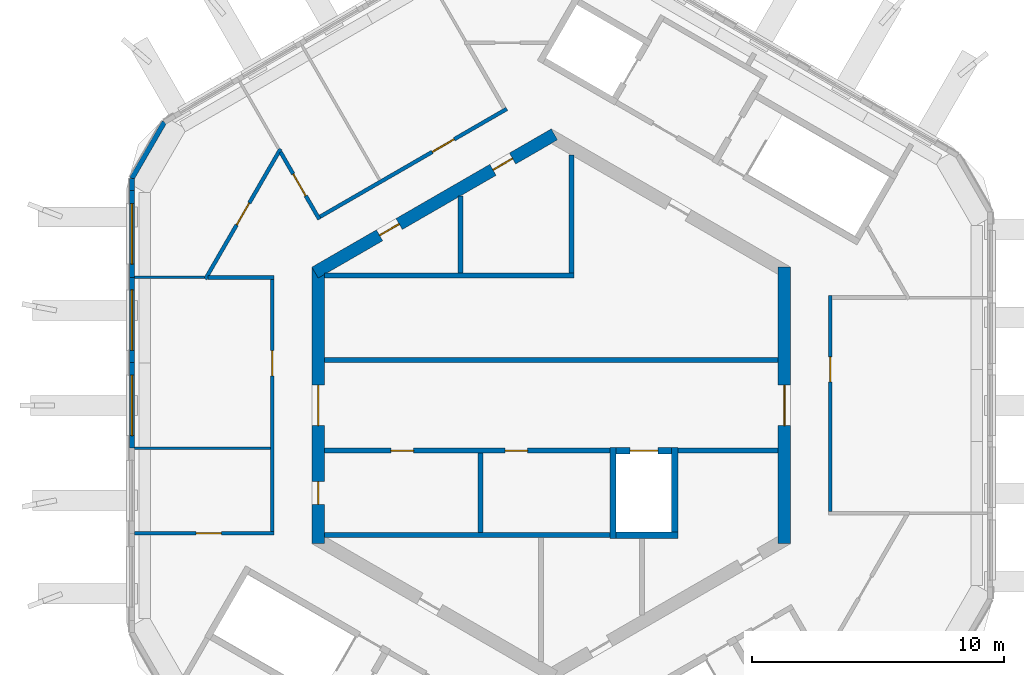
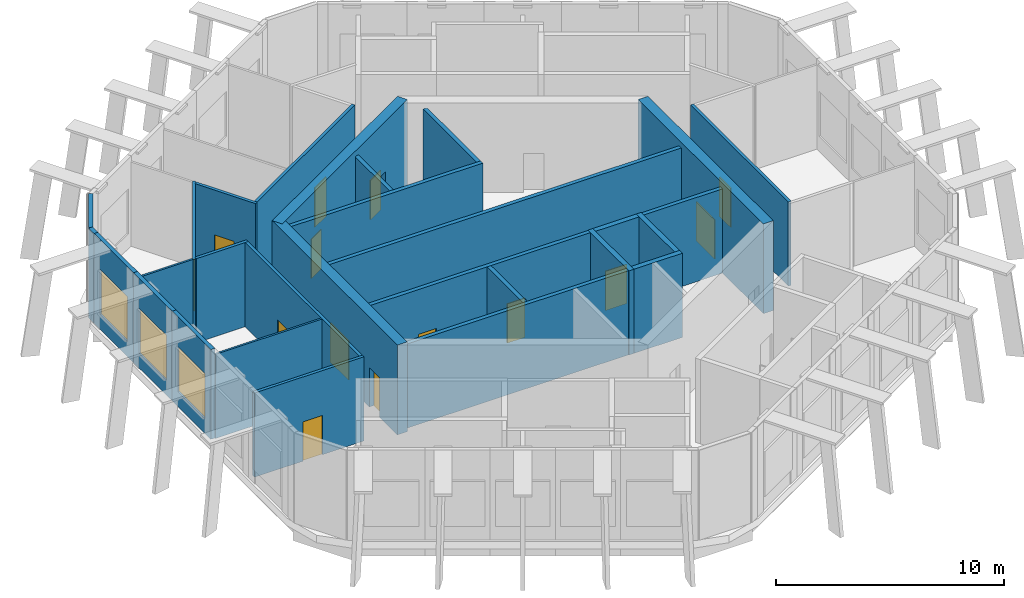
# One storey, part 3 of 8: 29 walls, 14 doors, 3 windows, 17 openings.
"""IFC4 building model written with IfcOpenShell, lengths in metres."""

from ifc_helpers import new_model, si_unit, direction, frame, frame_2d, origin, place, context, subcontext, project, spatial, rectangle, extrude, material, layer, layer_set, type_object, element, fill, save


model = new_model("IFC4")

# Units and contexts
model_context = context("Model", 3, precision=1e-05, world=origin(), true_north=direction((0.0, 1.0)))
body_context = subcontext(model_context, "Body", "Model", "MODEL_VIEW")
ifc_project = project(units=[si_unit("LENGTHUNIT", "METRE"), si_unit("AREAUNIT", "SQUARE_METRE"), si_unit("VOLUMEUNIT", "CUBIC_METRE"), si_unit("PLANEANGLEUNIT", "RADIAN"), si_unit("MASSUNIT", "GRAM", prefix="KILO")], contexts=[model_context])

# Site, building, storey
site_placement = place(None, origin())
site = spatial("IfcSite", under=ifc_project, at=site_placement, CompositionType="ELEMENT")
building_placement = place(site_placement, origin())
building = spatial("IfcBuilding", under=site, at=building_placement, Name="Ayvan Gate Tower", CompositionType="ELEMENT")
storey_placement = place(building_placement, frame((0.0, 0.0, 262.89990234375)))
storey = spatial("IfcBuildingStorey", under=building, at=storey_placement, Name="L70", CompositionType="ELEMENT", Elevation=262.89990234375)

# Wall, opening, door
ifc_material_1 = material(Name="Concrete C60/75", Category="concrete")
ifc_layer_1 = layer(ifc_material_1, 0.5)
ifc_layer_set_1 = layer_set([ifc_layer_1], Name="Concrete C60/75")
wall_type_1 = type_object("IfcWallType", Name="Core wall 500 C60/75", PredefinedType="SHEAR", material=ifc_layer_set_1)
wall_1_placement = place(storey_placement, frame((9.25, -5.48486328125, 0.0), z_axis=(0.0, 0.0, 1.0), x_axis=(0.0, 1.0, 0.0)))
wall_1 = element("IfcWall", 1, at=wall_1_placement, inside=storey, type_object=wall_type_1, Name="CORE-L70-0", PredefinedType="SHEAR", context=body_context, shape_type="SweptSolid", body=[
    extrude(rectangle(XDim=10.9697265625, YDim=0.5, at=frame_2d((5.48486328125, 0.0))), origin(), (0.0, 0.0, 1.0), 4.800048828125),
])
opening_1_placement = place(wall_1_placement, frame((4.684814453125, 0.0, 0.0)))
opening_1 = element("IfcOpeningElement", 2, at=opening_1_placement, cuts=wall_1, Name="Opening L70-D31", PredefinedType="OPENING", context=body_context, shape_type="SweptSolid", body=[
    extrude(rectangle(XDim=1.60009765625, YDim=2.10009765625, at=frame_2d((0.800048828125, 1.050048828125))), frame((0.0, 0.260009765625, 0.0), z_axis=(0.0, -1.0, 0.0), x_axis=(1.0, 0.0, 0.0)), (0.0, 0.0, 1.0), 0.52001953125),
])
ifc_material_2 = material(Name="Timber door leaf", Category="wood")
door_type_1 = type_object("IfcDoorType", Name="DT-1600", OperationType="NOTDEFINED", PredefinedType="DOOR", material=ifc_material_2)
door_1_placement = place(opening_1_placement, origin())
door_1 = element("IfcDoor", 3, at=door_1_placement, inside=storey, type_object=door_type_1, Name="CD-L70-31", OperationType="SINGLE_SWING_LEFT", OverallHeight=2.10009765625, OverallWidth=1.60009765625, PredefinedType="DOOR", context=body_context, shape_type="SweptSolid", body=[
    extrude(rectangle(XDim=1.60009765625, YDim=2.10009765625, at=frame_2d((0.800048828125, 1.050048828125))), frame((0.0, 0.02490234375, 0.0), z_axis=(0.0, -1.0, 0.0), x_axis=(1.0, 0.0, 0.0)), (0.0, 0.0, 1.0), 0.050048828125),
])
fill(opening_1, door_1)

# Wall, openings, doors
wall_2_placement = place(storey_placement, frame((0.125, 10.753173828125, 0.0), z_axis=(0.0, 0.0, 1.0), x_axis=(-0.866023993627, -0.500002442456, 0.0)))
wall_2 = element("IfcWall", 4, at=wall_2_placement, inside=storey, type_object=wall_type_1, Name="CORE-L70-2", PredefinedType="SHEAR", context=body_context, shape_type="SweptSolid", body=[
    extrude(rectangle(XDim=10.9697265625, YDim=0.5, at=frame_2d((5.48486328125, 0.0))), origin(), (0.0, 0.0, 1.0), 4.800048828125),
])
opening_2_placement = place(wall_2_placement, frame((7.11279296875, 0.0, 0.0)))
opening_2 = element("IfcOpeningElement", 5, at=opening_2_placement, cuts=wall_2, Name="Opening L70-D24", PredefinedType="OPENING", context=body_context, shape_type="SweptSolid", body=[
    extrude(rectangle(XDim=0.89990234375, YDim=2.10009765625, at=frame_2d((0.449951171875, 1.050048828125))), frame((0.0, 0.260009765625, 0.0), z_axis=(0.0, -1.0, 0.0), x_axis=(1.0, 0.0, 0.0)), (0.0, 0.0, 1.0), 0.52001953125),
])
opening_3_placement = place(wall_2_placement, frame((1.917724609375, 0.0, 0.0)))
opening_3 = element("IfcOpeningElement", 6, at=opening_3_placement, cuts=wall_2, Name="Opening L70-D25", PredefinedType="OPENING", context=body_context, shape_type="SweptSolid", body=[
    extrude(rectangle(XDim=0.89990234375, YDim=2.10009765625, at=frame_2d((0.449951171875, 1.050048828125))), frame((0.0, 0.260009765625, 0.0), z_axis=(0.0, -1.0, 0.0), x_axis=(1.0, 0.0, 0.0)), (0.0, 0.0, 1.0), 0.52001953125),
])
door_type_2 = type_object("IfcDoorType", Name="DT-900", OperationType="NOTDEFINED", PredefinedType="DOOR", material=ifc_material_2)
door_2_placement = place(opening_2_placement, origin())
door_2 = element("IfcDoor", 7, at=door_2_placement, inside=storey, type_object=door_type_2, Name="CD-L70-24", OperationType="SINGLE_SWING_RIGHT", OverallHeight=2.10009765625, OverallWidth=0.89990234375, PredefinedType="DOOR", context=body_context, shape_type="SweptSolid", body=[
    extrude(rectangle(XDim=0.89990234375, YDim=2.10009765625, at=frame_2d((0.449951171875, 1.050048828125))), frame((0.0, 0.02490234375, 0.0), z_axis=(0.0, -1.0, 0.0), x_axis=(1.0, 0.0, 0.0)), (0.0, 0.0, 1.0), 0.050048828125),
])
fill(opening_2, door_2)
door_3_placement = place(opening_3_placement, origin())
door_3 = element("IfcDoor", 8, at=door_3_placement, inside=storey, type_object=door_type_2, Name="CD-L70-25", OperationType="SINGLE_SWING_LEFT", OverallHeight=2.10009765625, OverallWidth=0.89990234375, PredefinedType="DOOR", context=body_context, shape_type="SweptSolid", body=[
    extrude(rectangle(XDim=0.89990234375, YDim=2.10009765625, at=frame_2d((0.449951171875, 1.050048828125))), frame((0.0, 0.02490234375, 0.0), z_axis=(0.0, -1.0, 0.0), x_axis=(1.0, 0.0, 0.0)), (0.0, 0.0, 1.0), 0.050048828125),
])
fill(opening_3, door_3)

wall_3_placement = place(storey_placement, frame((-9.25, 5.48486328125, 0.0), z_axis=(0.0, 0.0, 1.0), x_axis=(0.0, -1.0, 0.0)))
wall_3 = element("IfcWall", 9, at=wall_3_placement, inside=storey, type_object=wall_type_1, Name="CORE-L70-3", PredefinedType="SHEAR", context=body_context, shape_type="SweptSolid", body=[
    extrude(rectangle(XDim=10.9697265625, YDim=0.5, at=frame_2d((5.48486328125, 0.0))), origin(), (0.0, 0.0, 1.0), 4.800048828125),
])
opening_4_placement = place(wall_3_placement, frame((8.50927734375, 0.0, 0.0)))
opening_4 = element("IfcOpeningElement", 10, at=opening_4_placement, cuts=wall_3, Name="Opening L70-D30", PredefinedType="OPENING", context=body_context, shape_type="SweptSolid", body=[
    extrude(rectangle(XDim=0.89990234375, YDim=2.10009765625, at=frame_2d((0.449951171875, 1.050048828125))), frame((0.0, 0.260009765625, 0.0), z_axis=(0.0, -1.0, 0.0), x_axis=(1.0, 0.0, 0.0)), (0.0, 0.0, 1.0), 0.52001953125),
])
opening_5_placement = place(wall_3_placement, frame((4.684814453125, 0.0, 0.0)))
opening_5 = element("IfcOpeningElement", 11, at=opening_5_placement, cuts=wall_3, Name="Opening L70-D32", PredefinedType="OPENING", context=body_context, shape_type="SweptSolid", body=[
    extrude(rectangle(XDim=1.60009765625, YDim=2.10009765625, at=frame_2d((0.800048828125, 1.050048828125))), frame((0.0, 0.260009765625, 0.0), z_axis=(0.0, -1.0, 0.0), x_axis=(1.0, 0.0, 0.0)), (0.0, 0.0, 1.0), 0.52001953125),
])
door_4_placement = place(opening_5_placement, origin())
door_4 = element("IfcDoor", 12, at=door_4_placement, inside=storey, type_object=door_type_1, Name="CD-L70-32", OperationType="SINGLE_SWING_RIGHT", OverallHeight=2.10009765625, OverallWidth=1.60009765625, PredefinedType="DOOR", context=body_context, shape_type="SweptSolid", body=[
    extrude(rectangle(XDim=1.60009765625, YDim=2.10009765625, at=frame_2d((0.800048828125, 1.050048828125))), frame((0.0, 0.02490234375, 0.0), z_axis=(0.0, -1.0, 0.0), x_axis=(1.0, 0.0, 0.0)), (0.0, 0.0, 1.0), 0.050048828125),
])
fill(opening_5, door_4)
door_5_placement = place(opening_4_placement, origin())
door_5 = element("IfcDoor", 13, at=door_5_placement, inside=storey, type_object=door_type_2, Name="CD-L70-30", OperationType="SINGLE_SWING_RIGHT", OverallHeight=2.10009765625, OverallWidth=0.89990234375, PredefinedType="DOOR", context=body_context, shape_type="SweptSolid", body=[
    extrude(rectangle(XDim=0.89990234375, YDim=2.10009765625, at=frame_2d((0.449951171875, 1.050048828125))), frame((0.0, 0.02490234375, 0.0), z_axis=(0.0, -1.0, 0.0), x_axis=(1.0, 0.0, 0.0)), (0.0, 0.0, 1.0), 0.050048828125),
])
fill(opening_4, door_5)

# Walls
ifc_material_3 = material(Name="Pale metal cladding on insulated wall")
ifc_layer_2 = layer(ifc_material_3, 0.199951171875)
ifc_layer_set_2 = layer_set([ifc_layer_2], Name="Pale metal cladding on insulated wall")
wall_type_2 = type_object("IfcWallType", Name="Louvred plant wall 200", PredefinedType="SOLIDWALL", material=ifc_layer_set_2)
wall_4_placement = place(storey_placement, frame((-15.353271484375, 11.241943359375, 0.0), z_axis=(0.0, 0.0, 1.0), x_axis=(-0.499992497538, -0.86602973529, 0.0)))
element("IfcWall", 14, at=wall_4_placement, inside=storey, type_object=wall_type_2, Name="EW:L70:C01:1", PredefinedType="SOLIDWALL", context=body_context, shape_type="SweptSolid", body=[
    extrude(rectangle(XDim=2.58251953125, YDim=0.199951171875, at=frame_2d((1.291259765625, 0.0))), origin(), (0.0, 0.0, 1.0), 4.800048828125),
])
wall_5_placement = place(storey_placement, frame((-16.64453125, 9.00537109375, 0.0), z_axis=(0.0, 0.0, 1.0), x_axis=(0.0, -1.0, 0.0)))
element("IfcWall", 15, at=wall_5_placement, inside=storey, type_object=wall_type_2, Name="EW:L70:C01:2", PredefinedType="SOLIDWALL", context=body_context, shape_type="SweptSolid", body=[
    extrude(rectangle(XDim=0.474853515625, YDim=0.199951171875, at=frame_2d((0.2373046875, 0.0))), origin(), (0.0, 0.0, 1.0), 4.800048828125),
])

# Wall, opening, window
wall_6_placement = place(storey_placement, frame((-16.64453125, 8.530517578125, 0.0), z_axis=(0.0, 0.0, 1.0), x_axis=(0.0, -1.0, 0.0)))
wall_6 = element("IfcWall", 16, at=wall_6_placement, inside=storey, type_object=wall_type_2, Name="EW:L70:F02:0", PredefinedType="SOLIDWALL", context=body_context, shape_type="SweptSolid", body=[
    extrude(rectangle(XDim=3.4541015625, YDim=0.199951171875, at=frame_2d((1.72705078125, 0.0))), origin(), (0.0, 0.0, 1.0), 4.800048828125),
])
opening_6_placement = place(wall_6_placement, frame((0.527099609375, 0.0, 0.800048828125)))
opening_6 = element("IfcOpeningElement", 17, at=opening_6_placement, cuts=wall_6, Name="Opening W-L", PredefinedType="OPENING", context=body_context, shape_type="SweptSolid", body=[
    extrude(rectangle(XDim=2.39990234375, YDim=2.39990234375, at=frame_2d((1.199951171875, 1.199951171875))), frame((0.0, 0.10986328125, 0.0), z_axis=(0.0, -1.0, 0.0), x_axis=(1.0, 0.0, 0.0)), (0.0, 0.0, 1.0), 0.219970703125),
])
ifc_material_4 = material(Name="Anodised aluminium louvre", Category="aluminium")
window_type = type_object("IfcWindowType", Name="Louvre intake W-L", PartitioningType="DOUBLE_PANEL_VERTICAL", PredefinedType="WINDOW", material=ifc_material_4)
window_1_placement = place(opening_6_placement, origin())
window_1 = element("IfcWindow", 18, at=window_1_placement, inside=storey, type_object=window_type, Name="Louvre intake L70.2.0", OverallHeight=2.39990234375, OverallWidth=2.39990234375, PartitioningType="SINGLE_PANEL", PredefinedType="WINDOW", context=body_context, shape_type="SweptSolid", body=[
    extrude(rectangle(XDim=2.39990234375, YDim=2.39990234375, at=frame_2d((1.199951171875, 1.199951171875))), frame((0.0, 0.030029296875, 0.0), z_axis=(0.0, -1.0, 0.0), x_axis=(1.0, 0.0, 0.0)), (0.0, 0.0, 1.0), 0.06005859375),
])
fill(opening_6, window_1)

wall_7_placement = place(storey_placement, frame((-16.64453125, 5.076416015625, 0.0), z_axis=(0.0, 0.0, 1.0), x_axis=(0.0, -1.0, 0.0)))
wall_7 = element("IfcWall", 19, at=wall_7_placement, inside=storey, type_object=wall_type_2, Name="EW:L70:F02:1", PredefinedType="SOLIDWALL", context=body_context, shape_type="SweptSolid", body=[
    extrude(rectangle(XDim=3.384033203125, YDim=0.199951171875, at=frame_2d((1.69189453125, 0.0))), origin(), (0.0, 0.0, 1.0), 4.800048828125),
])
opening_7_placement = place(wall_7_placement, frame((0.491943359375, 0.0, 0.800048828125)))
opening_7 = element("IfcOpeningElement", 20, at=opening_7_placement, cuts=wall_7, Name="Opening W-L", PredefinedType="OPENING", context=body_context, shape_type="SweptSolid", body=[
    extrude(rectangle(XDim=2.39990234375, YDim=2.39990234375, at=frame_2d((1.199951171875, 1.199951171875))), frame((0.0, 0.10986328125, 0.0), z_axis=(0.0, -1.0, 0.0), x_axis=(1.0, 0.0, 0.0)), (0.0, 0.0, 1.0), 0.219970703125),
])
window_2_placement = place(opening_7_placement, origin())
window_2 = element("IfcWindow", 21, at=window_2_placement, inside=storey, type_object=window_type, Name="Louvre intake L70.2.1", OverallHeight=2.39990234375, OverallWidth=2.39990234375, PartitioningType="SINGLE_PANEL", PredefinedType="WINDOW", context=body_context, shape_type="SweptSolid", body=[
    extrude(rectangle(XDim=2.39990234375, YDim=2.39990234375, at=frame_2d((1.199951171875, 1.199951171875))), frame((0.0, 0.030029296875, 0.0), z_axis=(0.0, -1.0, 0.0), x_axis=(1.0, 0.0, 0.0)), (0.0, 0.0, 1.0), 0.06005859375),
])
fill(opening_7, window_2)

wall_8_placement = place(storey_placement, frame((-16.64453125, 1.6923828125, 0.0), z_axis=(0.0, 0.0, 1.0), x_axis=(0.0, -1.0, 0.0)))
wall_8 = element("IfcWall", 22, at=wall_8_placement, inside=storey, type_object=wall_type_2, Name="EW:L70:F02:2", PredefinedType="SOLIDWALL", context=body_context, shape_type="SweptSolid", body=[
    extrude(rectangle(XDim=3.385009765625, YDim=0.199951171875, at=frame_2d((1.6923828125, 0.0))), origin(), (0.0, 0.0, 1.0), 4.800048828125),
])
opening_8_placement = place(wall_8_placement, frame((0.492431640625, 0.0, 0.800048828125)))
opening_8 = element("IfcOpeningElement", 23, at=opening_8_placement, cuts=wall_8, Name="Opening W-L", PredefinedType="OPENING", context=body_context, shape_type="SweptSolid", body=[
    extrude(rectangle(XDim=2.39990234375, YDim=2.39990234375, at=frame_2d((1.199951171875, 1.199951171875))), frame((0.0, 0.10986328125, 0.0), z_axis=(0.0, -1.0, 0.0), x_axis=(1.0, 0.0, 0.0)), (0.0, 0.0, 1.0), 0.219970703125),
])
window_3_placement = place(opening_8_placement, origin())
window_3 = element("IfcWindow", 24, at=window_3_placement, inside=storey, type_object=window_type, Name="Louvre intake L70.2.2", OverallHeight=2.39990234375, OverallWidth=2.39990234375, PartitioningType="SINGLE_PANEL", PredefinedType="WINDOW", context=body_context, shape_type="SweptSolid", body=[
    extrude(rectangle(XDim=2.39990234375, YDim=2.39990234375, at=frame_2d((1.199951171875, 1.199951171875))), frame((0.0, 0.030029296875, 0.0), z_axis=(0.0, -1.0, 0.0), x_axis=(1.0, 0.0, 0.0)), (0.0, 0.0, 1.0), 0.06005859375),
])
fill(opening_8, window_3)

# Wall, opening, door
ifc_material_5 = material(Name="Plasterboard on steel stud", Category="steel")
ifc_layer_3 = layer(ifc_material_5, 0.14990234375)
ifc_layer_set_3 = layer_set([ifc_layer_3], Name="Plasterboard on steel stud")
wall_type_3 = type_object("IfcWallType", Name="WT-CORR-150", PredefinedType="PARTITIONING", material=ifc_layer_set_3)
wall_9_placement = place(storey_placement, frame((-16.54052734375, -5.076904296875, 0.0), z_axis=(0.0, 0.0, 1.0), x_axis=(1.0, 0.0, 0.0)))
wall_9 = element("IfcWall", 25, at=wall_9_placement, inside=storey, type_object=wall_type_3, Name="IW-L70-000", PredefinedType="PARTITIONING", context=body_context, shape_type="SweptSolid", body=[
    extrude(rectangle(XDim=5.54541015625, YDim=0.14990234375, at=frame_2d((2.772705078125, 0.0))), origin(), (0.0, 0.0, 1.0), 4.5),
])
opening_9_placement = place(wall_9_placement, frame((2.44580078125, 0.0, 0.0)))
opening_9 = element("IfcOpeningElement", 26, at=opening_9_placement, cuts=wall_9, Name="Opening L70-D19", PredefinedType="OPENING", context=body_context, shape_type="SweptSolid", body=[
    extrude(rectangle(XDim=1.0, YDim=2.10009765625, at=frame_2d((0.5, 1.050048828125))), frame((0.0, 0.0849609375, 0.0), z_axis=(0.0, -1.0, 0.0), x_axis=(1.0, 0.0, 0.0)), (0.0, 0.0, 1.0), 0.169921875),
])
door_type_3 = type_object("IfcDoorType", Name="DT-1000", OperationType="NOTDEFINED", PredefinedType="DOOR", material=ifc_material_2)
door_6_placement = place(opening_9_placement, origin())
door_6 = element("IfcDoor", 27, at=door_6_placement, inside=storey, type_object=door_type_3, Name="ID-L70-019", OperationType="SINGLE_SWING_LEFT", OverallHeight=2.10009765625, OverallWidth=1.0, PredefinedType="DOOR", context=body_context, shape_type="SweptSolid", body=[
    extrude(rectangle(XDim=1.0, YDim=2.10009765625, at=frame_2d((0.5, 1.050048828125))), frame((0.0, 0.02490234375, 0.0), z_axis=(0.0, -1.0, 0.0), x_axis=(1.0, 0.0, 0.0)), (0.0, 0.0, 1.0), 0.050048828125),
])
fill(opening_9, door_6)

wall_10_placement = place(storey_placement, frame((-13.725341796875, 5.011962890625, 0.0), z_axis=(0.0, 0.0, 1.0), x_axis=(0.500016458012, 0.866015901539, 0.0)))
wall_10 = element("IfcWall", 28, at=wall_10_placement, inside=storey, type_object=wall_type_3, Name="IW-L70-003", PredefinedType="PARTITIONING", context=body_context, shape_type="SweptSolid", body=[
    extrude(rectangle(XDim=5.966064453125, YDim=0.14990234375, at=frame_2d((2.98291015625, 0.0))), origin(), (0.0, 0.0, 1.0), 4.5),
])
opening_10_placement = place(wall_10_placement, frame((2.483154296875, 0.0, 0.0)))
opening_10 = element("IfcOpeningElement", 29, at=opening_10_placement, cuts=wall_10, Name="Opening L70-D20", PredefinedType="OPENING", context=body_context, shape_type="SweptSolid", body=[
    extrude(rectangle(XDim=1.0, YDim=2.10009765625, at=frame_2d((0.5, 1.050048828125))), frame((0.0, 0.0849609375, 0.0), z_axis=(0.0, -1.0, 0.0), x_axis=(1.0, 0.0, 0.0)), (0.0, 0.0, 1.0), 0.169921875),
])
door_7_placement = place(opening_10_placement, origin())
door_7 = element("IfcDoor", 30, at=door_7_placement, inside=storey, type_object=door_type_3, Name="ID-L70-020", OperationType="SINGLE_SWING_RIGHT", OverallHeight=2.10009765625, OverallWidth=1.0, PredefinedType="DOOR", context=body_context, shape_type="SweptSolid", body=[
    extrude(rectangle(XDim=1.0, YDim=2.10009765625, at=frame_2d((0.5, 1.050048828125))), frame((0.0, 0.02490234375, 0.0), z_axis=(0.0, -1.0, 0.0), x_axis=(1.0, 0.0, 0.0)), (0.0, 0.0, 1.0), 0.050048828125),
])
fill(opening_10, door_7)

# Wall
wall_11_placement = place(storey_placement, frame((-10.9951171875, 5.076904296875, 0.0), z_axis=(0.0, 0.0, 1.0), x_axis=(-1.0, 0.0, 0.0)))
element("IfcWall", 31, at=wall_11_placement, inside=storey, type_object=wall_type_3, Name="IW-L70-007", PredefinedType="PARTITIONING", context=body_context, shape_type="SweptSolid", body=[
    extrude(rectangle(XDim=2.61767578125, YDim=0.14990234375, at=frame_2d((1.308837890625, 0.0))), origin(), (0.0, 0.0, 1.0), 4.5),
])

# Wall, opening, door
wall_12_placement = place(storey_placement, frame((-11.070068359375, -5.001708984375, 0.0), z_axis=(0.0, 0.0, 1.0), x_axis=(0.0, 1.0, 0.0)))
wall_12 = element("IfcWall", 32, at=wall_12_placement, inside=storey, type_object=wall_type_3, Name="IW-L70-008", PredefinedType="PARTITIONING", context=body_context, shape_type="SweptSolid", body=[
    extrude(rectangle(XDim=10.00341796875, YDim=0.14990234375, at=frame_2d((5.001708984375, 0.0))), origin(), (0.0, 0.0, 1.0), 4.5),
])
opening_11_placement = place(wall_12_placement, frame((6.171630859375, 0.0, 0.0)))
opening_11 = element("IfcOpeningElement", 33, at=opening_11_placement, cuts=wall_12, Name="Opening L70-D18", PredefinedType="OPENING", context=body_context, shape_type="SweptSolid", body=[
    extrude(rectangle(XDim=1.0, YDim=2.10009765625, at=frame_2d((0.5, 1.050048828125))), frame((0.0, 0.0849609375, 0.0), z_axis=(0.0, -1.0, 0.0), x_axis=(1.0, 0.0, 0.0)), (0.0, 0.0, 1.0), 0.169921875),
])
door_8_placement = place(opening_11_placement, origin())
door_8 = element("IfcDoor", 34, at=door_8_placement, inside=storey, type_object=door_type_3, Name="ID-L70-018", OperationType="SINGLE_SWING_RIGHT", OverallHeight=2.10009765625, OverallWidth=1.0, PredefinedType="DOOR", context=body_context, shape_type="SweptSolid", body=[
    extrude(rectangle(XDim=1.0, YDim=2.10009765625, at=frame_2d((0.5, 1.050048828125))), frame((0.0, 0.02490234375, 0.0), z_axis=(0.0, -1.0, 0.0), x_axis=(1.0, 0.0, 0.0)), (0.0, 0.0, 1.0), 0.050048828125),
])
fill(opening_11, door_8)

wall_13_placement = place(storey_placement, frame((-10.7421875, 10.048828125, 0.0), z_axis=(0.0, 0.0, 1.0), x_axis=(0.49998558977, -0.866033723375, 0.0)))
wall_13 = element("IfcWall", 35, at=wall_13_placement, inside=storey, type_object=wall_type_3, Name="IW-L70-010", PredefinedType="PARTITIONING", context=body_context, shape_type="SweptSolid", body=[
    extrude(rectangle(XDim=3.07861328125, YDim=0.14990234375, at=frame_2d((1.539306640625, 0.0))), origin(), (0.0, 0.0, 1.0), 4.5),
])
opening_12_placement = place(wall_13_placement, frame((1.001953125, 0.0, 0.0)))
opening_12 = element("IfcOpeningElement", 36, at=opening_12_placement, cuts=wall_13, Name="Opening L70-D22", PredefinedType="OPENING", context=body_context, shape_type="SweptSolid", body=[
    extrude(rectangle(XDim=1.0, YDim=2.10009765625, at=frame_2d((0.5, 1.050048828125))), frame((0.0, 0.0849609375, 0.0), z_axis=(0.0, -1.0, 0.0), x_axis=(1.0, 0.0, 0.0)), (0.0, 0.0, 1.0), 0.169921875),
])
door_9_placement = place(opening_12_placement, origin())
door_9 = element("IfcDoor", 37, at=door_9_placement, inside=storey, type_object=door_type_3, Name="ID-L70-022", OperationType="SINGLE_SWING_RIGHT", OverallHeight=2.10009765625, OverallWidth=1.0, PredefinedType="DOOR", context=body_context, shape_type="SweptSolid", body=[
    extrude(rectangle(XDim=1.0, YDim=2.10009765625, at=frame_2d((0.5, 1.050048828125))), frame((0.0, 0.02490234375, 0.0), z_axis=(0.0, -1.0, 0.0), x_axis=(1.0, 0.0, 0.0)), (0.0, 0.0, 1.0), 0.050048828125),
])
fill(opening_12, door_9)

wall_14_placement = place(storey_placement, frame((-9.175537109375, 7.485107421875, 0.0), z_axis=(0.0, 0.0, 1.0), x_axis=(0.8660311782, 0.499989998285, 0.0)))
wall_14 = element("IfcWall", 38, at=wall_14_placement, inside=storey, type_object=wall_type_3, Name="IW-L70-011", PredefinedType="PARTITIONING", context=body_context, shape_type="SweptSolid", body=[
    extrude(rectangle(XDim=8.557373046875, YDim=0.14990234375, at=frame_2d((4.27880859375, 0.0))), origin(), (0.0, 0.0, 1.0), 4.5),
])
opening_13_placement = place(wall_14_placement, frame((5.14501953125, 0.0, 0.0)))
opening_13 = element("IfcOpeningElement", 39, at=opening_13_placement, cuts=wall_14, Name="Opening L70-D21", PredefinedType="OPENING", context=body_context, shape_type="SweptSolid", body=[
    extrude(rectangle(XDim=1.0, YDim=2.10009765625, at=frame_2d((0.5, 1.050048828125))), frame((0.0, 0.0849609375, 0.0), z_axis=(0.0, -1.0, 0.0), x_axis=(1.0, 0.0, 0.0)), (0.0, 0.0, 1.0), 0.169921875),
])
door_10_placement = place(opening_13_placement, origin())
door_10 = element("IfcDoor", 40, at=door_10_placement, inside=storey, type_object=door_type_3, Name="ID-L70-021", OperationType="SINGLE_SWING_LEFT", OverallHeight=2.10009765625, OverallWidth=1.0, PredefinedType="DOOR", context=body_context, shape_type="SweptSolid", body=[
    extrude(rectangle(XDim=1.0, YDim=2.10009765625, at=frame_2d((0.5, 1.050048828125))), frame((0.0, 0.02490234375, 0.0), z_axis=(0.0, -1.0, 0.0), x_axis=(1.0, 0.0, 0.0)), (0.0, 0.0, 1.0), 0.050048828125),
])
fill(opening_13, door_10)

wall_15_placement = place(storey_placement, frame((11.070068359375, 4.353759765625, 0.0), z_axis=(0.0, 0.0, 1.0), x_axis=(0.0, -1.0, 0.0)))
wall_15 = element("IfcWall", 41, at=wall_15_placement, inside=storey, type_object=wall_type_3, Name="IW-L70-065", PredefinedType="PARTITIONING", context=body_context, shape_type="SweptSolid", body=[
    extrude(rectangle(XDim=8.557373046875, YDim=0.14990234375, at=frame_2d((4.27880859375, 0.0))), origin(), (0.0, 0.0, 1.0), 4.5),
])
opening_14_placement = place(wall_15_placement, frame((2.42578125, 0.0, 0.0)))
opening_14 = element("IfcOpeningElement", 42, at=opening_14_placement, cuts=wall_15, Name="Opening L70-D15", PredefinedType="OPENING", context=body_context, shape_type="SweptSolid", body=[
    extrude(rectangle(XDim=1.0, YDim=2.10009765625, at=frame_2d((0.5, 1.050048828125))), frame((0.0, 0.0849609375, 0.0), z_axis=(0.0, -1.0, 0.0), x_axis=(1.0, 0.0, 0.0)), (0.0, 0.0, 1.0), 0.169921875),
])
door_11_placement = place(opening_14_placement, origin())
door_11 = element("IfcDoor", 43, at=door_11_placement, inside=storey, type_object=door_type_3, Name="ID-L70-015", OperationType="SINGLE_SWING_LEFT", OverallHeight=2.10009765625, OverallWidth=1.0, PredefinedType="DOOR", context=body_context, shape_type="SweptSolid", body=[
    extrude(rectangle(XDim=1.0, YDim=2.10009765625, at=frame_2d((0.5, 1.050048828125))), frame((0.0, 0.02490234375, 0.0), z_axis=(0.0, -1.0, 0.0), x_axis=(1.0, 0.0, 0.0)), (0.0, 0.0, 1.0), 0.050048828125),
])
fill(opening_14, door_11)

# Walls
ifc_layer_4 = layer(ifc_material_5, 0.10009765625)
ifc_layer_set_4 = layer_set([ifc_layer_4], Name="Plasterboard on steel stud")
wall_type_4 = type_object("IfcWallType", Name="WT-PART-100", PredefinedType="PARTITIONING", material=ifc_layer_set_4)
wall_16_placement = place(storey_placement, frame((-16.54052734375, 5.076904296875, 0.0), z_axis=(0.0, 0.0, 1.0), x_axis=(1.0, 0.0, 0.0)))
element("IfcWall", 44, at=wall_16_placement, inside=storey, type_object=wall_type_4, Name="IW-L70-001", PredefinedType="PARTITIONING", context=body_context, shape_type="SweptSolid", body=[
    extrude(rectangle(XDim=2.77783203125, YDim=0.10009765625, at=frame_2d((1.388916015625, 0.0))), origin(), (0.0, 0.0, 1.0), 4.5),
])
wall_17_placement = place(storey_placement, frame((-11.14501953125, -1.6923828125, 0.0), z_axis=(0.0, 0.0, 1.0), x_axis=(-1.0, 0.0, 0.0)))
element("IfcWall", 45, at=wall_17_placement, inside=storey, type_object=wall_type_4, Name="IW-L70-009", PredefinedType="PARTITIONING", context=body_context, shape_type="SweptSolid", body=[
    extrude(rectangle(XDim=5.3955078125, YDim=0.10009765625, at=frame_2d((2.69775390625, 0.0))), origin(), (0.0, 0.0, 1.0), 4.5),
])
ifc_layer_5 = layer(ifc_material_5, 0.199951171875)
ifc_layer_set_5 = layer_set([ifc_layer_5], Name="Plasterboard on steel stud")
wall_type_5 = type_object("IfcWallType", Name="WT-RATED-200", PredefinedType="PARTITIONING", material=ifc_layer_set_5)
wall_18_placement = place(storey_placement, frame((-9.0, 1.800048828125, 0.0), z_axis=(0.0, 0.0, 1.0), x_axis=(1.0, 0.0, 0.0)))
element("IfcWall", 46, at=wall_18_placement, inside=storey, type_object=wall_type_5, Name="IW-L70-012", PredefinedType="PARTITIONING", context=body_context, shape_type="SweptSolid", body=[
    extrude(rectangle(XDim=18.0, YDim=0.199951171875, at=frame_2d((9.0, 0.0))), origin(), (0.0, 0.0, 1.0), 4.5),
])
wall_19_placement = place(storey_placement, frame((-9.0, -5.14990234375, 0.0), z_axis=(0.0, 0.0, 1.0), x_axis=(1.0, 0.0, 0.0)))
element("IfcWall", 47, at=wall_19_placement, inside=storey, type_object=wall_type_5, Name="IW-L70-013", PredefinedType="PARTITIONING", context=body_context, shape_type="SweptSolid", body=[
    extrude(rectangle(XDim=11.3251953125, YDim=0.199951171875, at=frame_2d((5.66259765625, 0.0))), origin(), (0.0, 0.0, 1.0), 4.5),
])
wall_20_placement = place(storey_placement, frame((-9.0, 5.14990234375, 0.0), z_axis=(0.0, 0.0, 1.0), x_axis=(1.0, 0.0, 0.0)))
element("IfcWall", 48, at=wall_20_placement, inside=storey, type_object=wall_type_5, Name="IW-L70-023", PredefinedType="PARTITIONING", context=body_context, shape_type="SweptSolid", body=[
    extrude(rectangle(XDim=9.89990234375, YDim=0.199951171875, at=frame_2d((4.949951171875, 0.0))), origin(), (0.0, 0.0, 1.0), 4.5),
])
wall_21_placement = place(storey_placement, frame((-3.60009765625, 8.313720703125, 0.0), z_axis=(0.0, 0.0, 1.0), x_axis=(0.0, -1.0, 0.0)))
element("IfcWall", 49, at=wall_21_placement, inside=storey, type_object=wall_type_5, Name="IW-L70-024", PredefinedType="PARTITIONING", context=body_context, shape_type="SweptSolid", body=[
    extrude(rectangle(XDim=3.063720703125, YDim=0.199951171875, at=frame_2d((1.53173828125, 0.0))), origin(), (0.0, 0.0, 1.0), 4.5),
])
wall_22_placement = place(storey_placement, frame((-2.800048828125, -1.89990234375, 0.0), z_axis=(0.0, 0.0, 1.0), x_axis=(0.0, -1.0, 0.0)))
element("IfcWall", 50, at=wall_22_placement, inside=storey, type_object=wall_type_5, Name="IW-L70-026", PredefinedType="PARTITIONING", context=body_context, shape_type="SweptSolid", body=[
    extrude(rectangle(XDim=3.150146484375, YDim=0.199951171875, at=frame_2d((1.5751953125, 0.0))), origin(), (0.0, 0.0, 1.0), 4.5),
])

# Wall, openings, doors
wall_23_placement = place(storey_placement, frame((-9.0, -1.800048828125, 0.0), z_axis=(0.0, 0.0, 1.0), x_axis=(1.0, 0.0, 0.0)))
wall_23 = element("IfcWall", 51, at=wall_23_placement, inside=storey, type_object=wall_type_5, Name="IW-L70-027", PredefinedType="PARTITIONING", context=body_context, shape_type="SweptSolid", body=[
    extrude(rectangle(XDim=11.3251953125, YDim=0.199951171875, at=frame_2d((5.66259765625, 0.0))), origin(), (0.0, 0.0, 1.0), 4.5),
])
opening_15_placement = place(wall_23_placement, frame((2.635009765625, 0.0, 0.0)))
opening_15 = element("IfcOpeningElement", 52, at=opening_15_placement, cuts=wall_23, Name="Opening L70-D02", PredefinedType="OPENING", context=body_context, shape_type="SweptSolid", body=[
    extrude(rectangle(XDim=0.89990234375, YDim=2.10009765625, at=frame_2d((0.449951171875, 1.050048828125))), frame((0.0, 0.10986328125, 0.0), z_axis=(0.0, -1.0, 0.0), x_axis=(1.0, 0.0, 0.0)), (0.0, 0.0, 1.0), 0.219970703125),
])
opening_16_placement = place(wall_23_placement, frame((7.1650390625, 0.0, 0.0)))
opening_16 = element("IfcOpeningElement", 53, at=opening_16_placement, cuts=wall_23, Name="Opening L70-D03", PredefinedType="OPENING", context=body_context, shape_type="SweptSolid", body=[
    extrude(rectangle(XDim=0.89990234375, YDim=2.10009765625, at=frame_2d((0.449951171875, 1.050048828125))), frame((0.0, 0.10986328125, 0.0), z_axis=(0.0, -1.0, 0.0), x_axis=(1.0, 0.0, 0.0)), (0.0, 0.0, 1.0), 0.219970703125),
])
door_12_placement = place(opening_15_placement, origin())
door_12 = element("IfcDoor", 54, at=door_12_placement, inside=storey, type_object=door_type_2, Name="ID-L70-002", OperationType="SINGLE_SWING_RIGHT", OverallHeight=2.10009765625, OverallWidth=0.89990234375, PredefinedType="DOOR", context=body_context, shape_type="SweptSolid", body=[
    extrude(rectangle(XDim=0.89990234375, YDim=2.10009765625, at=frame_2d((0.449951171875, 1.050048828125))), frame((0.0, 0.02490234375, 0.0), z_axis=(0.0, -1.0, 0.0), x_axis=(1.0, 0.0, 0.0)), (0.0, 0.0, 1.0), 0.050048828125),
])
fill(opening_15, door_12)
door_13_placement = place(opening_16_placement, origin())
door_13 = element("IfcDoor", 55, at=door_13_placement, inside=storey, type_object=door_type_2, Name="ID-L70-003", OperationType="SINGLE_SWING_LEFT", OverallHeight=2.10009765625, OverallWidth=0.89990234375, PredefinedType="DOOR", context=body_context, shape_type="SweptSolid", body=[
    extrude(rectangle(XDim=0.89990234375, YDim=2.10009765625, at=frame_2d((0.449951171875, 1.050048828125))), frame((0.0, 0.02490234375, 0.0), z_axis=(0.0, -1.0, 0.0), x_axis=(1.0, 0.0, 0.0)), (0.0, 0.0, 1.0), 0.050048828125),
])
fill(opening_16, door_13)

# Walls
wall_24_placement = place(storey_placement, frame((0.800048828125, 9.930419921875, 0.0), z_axis=(0.0, 0.0, 1.0), x_axis=(0.0, -1.0, 0.0)))
element("IfcWall", 56, at=wall_24_placement, inside=storey, type_object=wall_type_5, Name="IW-L70-036", PredefinedType="PARTITIONING", context=body_context, shape_type="SweptSolid", body=[
    extrude(rectangle(XDim=4.680419921875, YDim=0.199951171875, at=frame_2d((2.34033203125, 0.0))), origin(), (0.0, 0.0, 1.0), 4.5),
])
wall_25_placement = place(storey_placement, frame((9.0, -1.800048828125, 0.0), z_axis=(0.0, 0.0, 1.0), x_axis=(-1.0, 0.0, 0.0)))
element("IfcWall", 57, at=wall_25_placement, inside=storey, type_object=wall_type_5, Name="IW-L70-060", PredefinedType="PARTITIONING", context=body_context, shape_type="SweptSolid", body=[
    extrude(rectangle(XDim=3.97509765625, YDim=0.199951171875, at=frame_2d((1.987548828125, 0.0))), origin(), (0.0, 0.0, 1.0), 4.5),
])
ifc_material_6 = material(Name="Concrete C50/60", Category="concrete")
ifc_layer_6 = layer(ifc_material_6, 0.25)
ifc_layer_set_6 = layer_set([ifc_layer_6], Name="Concrete C50/60")
wall_type_6 = type_object("IfcWallType", Name="WT-RC-250", PredefinedType="SHEAR", material=ifc_layer_set_6)
wall_26_placement = place(storey_placement, frame((2.449951171875, -5.27490234375, 0.0), z_axis=(0.0, 0.0, 1.0), x_axis=(0.0, 1.0, 0.0)))
element("IfcWall", 58, at=wall_26_placement, inside=storey, type_object=wall_type_6, Name="IW-L70-040", PredefinedType="SHEAR", context=body_context, shape_type="SweptSolid", body=[
    extrude(rectangle(XDim=3.599853515625, YDim=0.25, at=frame_2d((1.7998046875, 0.0))), origin(), (0.0, 0.0, 1.0), 4.5),
])
wall_27_placement = place(storey_placement, frame((2.574951171875, -5.14990234375, 0.0), z_axis=(0.0, 0.0, 1.0), x_axis=(1.0, 0.0, 0.0)))
element("IfcWall", 59, at=wall_27_placement, inside=storey, type_object=wall_type_6, Name="IW-L70-045", PredefinedType="SHEAR", context=body_context, shape_type="SweptSolid", body=[
    extrude(rectangle(XDim=2.449951171875, YDim=0.25, at=frame_2d((1.22509765625, 0.0))), origin(), (0.0, 0.0, 1.0), 4.5),
])
wall_28_placement = place(storey_placement, frame((4.89990234375, -1.675048828125, 0.0), z_axis=(0.0, 0.0, 1.0), x_axis=(0.0, -1.0, 0.0)))
element("IfcWall", 60, at=wall_28_placement, inside=storey, type_object=wall_type_6, Name="IW-L70-049", PredefinedType="SHEAR", context=body_context, shape_type="SweptSolid", body=[
    extrude(rectangle(XDim=3.349853515625, YDim=0.25, at=frame_2d((1.6748046875, 0.0))), origin(), (0.0, 0.0, 1.0), 4.5),
])

# Wall, opening, door
wall_29_placement = place(storey_placement, frame((4.775146484375, -1.800048828125, 0.0), z_axis=(0.0, 0.0, 1.0), x_axis=(-1.0, 0.0, 0.0)))
wall_29 = element("IfcWall", 61, at=wall_29_placement, inside=storey, type_object=wall_type_6, Name="IW-L70-050", PredefinedType="SHEAR", context=body_context, shape_type="SweptSolid", body=[
    extrude(rectangle(XDim=2.2001953125, YDim=0.25, at=frame_2d((1.10009765625, 0.0))), origin(), (0.0, 0.0, 1.0), 4.5),
])
opening_17_placement = place(wall_29_placement, frame((0.550048828125, 0.0, 0.0)))
opening_17 = element("IfcOpeningElement", 62, at=opening_17_placement, cuts=wall_29, Name="Opening L70-LD-SV", PredefinedType="OPENING", context=body_context, shape_type="SweptSolid", body=[
    extrude(rectangle(XDim=1.10009765625, YDim=2.10009765625, at=frame_2d((0.550048828125, 1.050048828125))), frame((0.0, 0.135009765625, 0.0), z_axis=(0.0, -1.0, 0.0), x_axis=(1.0, 0.0, 0.0)), (0.0, 0.0, 1.0), 0.27001953125),
])
ifc_material_7 = material(Name="Stainless steel landing door", Category="steel")
door_type_4 = type_object("IfcDoorType", Name="DT-LANDING-1100", OperationType="SLIDING_TO_LEFT", PredefinedType="DOOR", material=ifc_material_7)
door_14_placement = place(opening_17_placement, origin())
door_14 = element("IfcDoor", 63, at=door_14_placement, inside=storey, type_object=door_type_4, Name="ID-L70-001", OperationType="SLIDING_TO_LEFT", OverallHeight=2.10009765625, OverallWidth=1.10009765625, PredefinedType="DOOR", context=body_context, shape_type="SweptSolid", body=[
    extrude(rectangle(XDim=1.10009765625, YDim=2.10009765625, at=frame_2d((0.550048828125, 1.050048828125))), frame((0.0, 0.02490234375, 0.0), z_axis=(0.0, -1.0, 0.0), x_axis=(1.0, 0.0, 0.0)), (0.0, 0.0, 1.0), 0.050048828125),
])
fill(opening_17, door_14)

save(model, "model.ifc")
